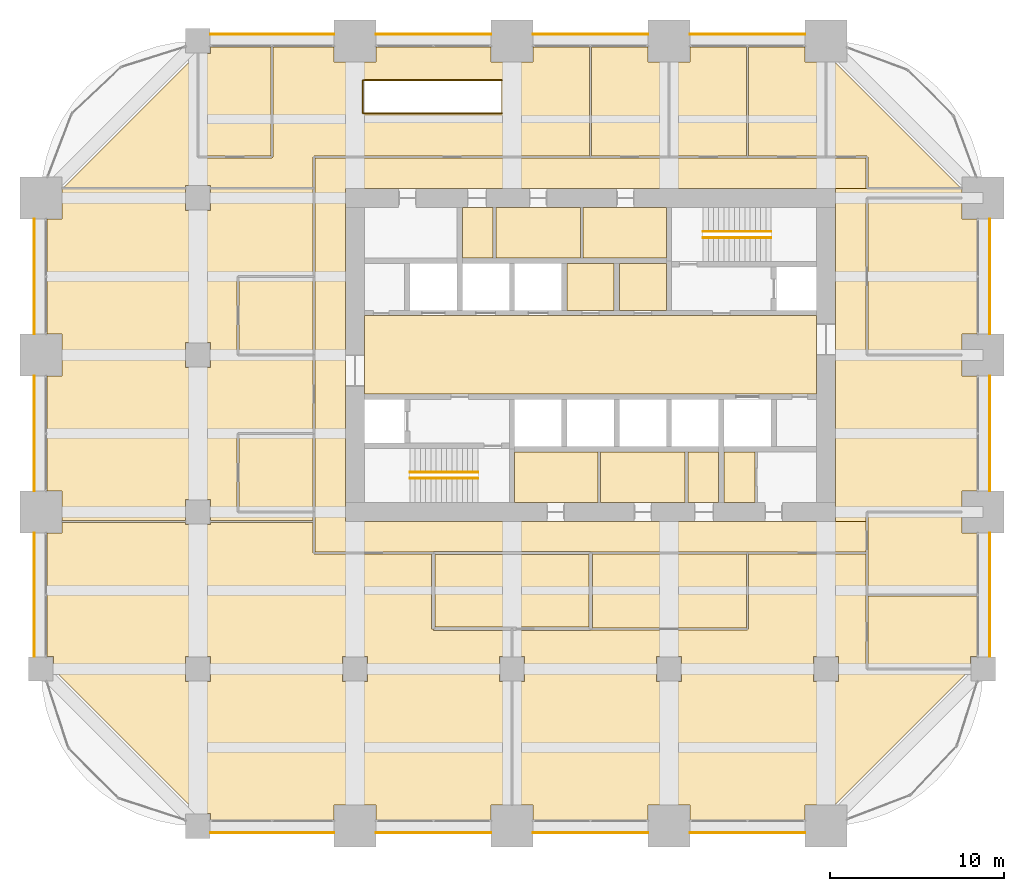
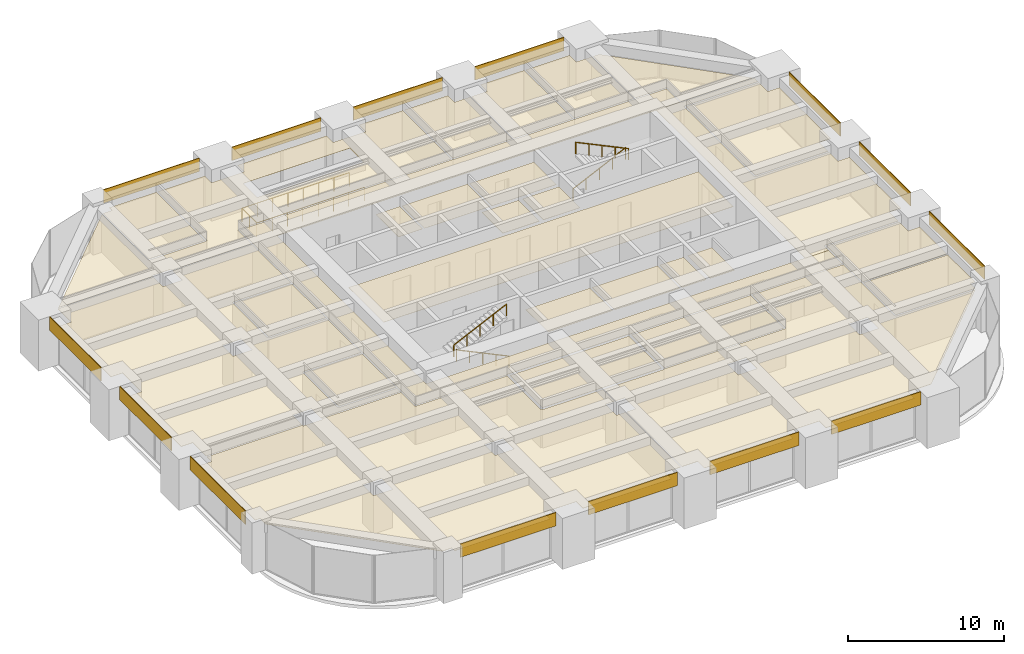
# One storey, part 32 of 32: 42 coverings, 5 railings.
"""IFC4 building model written with IfcOpenShell, lengths in metres."""

import ifcopenshell
import ifcopenshell.guid

model = None  # the IFC model being written
_history = None  # IfcOwnerHistory: only IFC2X3 demands one
_inside = {}  # id of a spatial element -> (the spatial element, [elements in it])
_under = {}  # id of a project, library or spatial element -> (it, [spatial elements below it])
_declared = {}  # id of a project -> (the project, [libraries it declares])
_typed = {}  # id of a type object -> (the type object, [elements of that type])
_made_of = {}  # id of a material, layer set ... -> (it, [elements and type objects made of it])


def new_model(schema):
    """Start an empty IFC model of exactly this schema.

    Asked for "IFC4X3", IfcOpenShell would pick the latest addendum, in which some entities
    have other attributes; the version numbers below select the first issue.
    IFC2X3 requires an IfcOwnerHistory on every rooted entity: one is made here for all.
    """
    global model, _history
    if schema == "IFC4X3":
        model = ifcopenshell.file(schema_version=(4, 3, 0, 0))
    else:
        model = ifcopenshell.file(schema=schema)
    _inside.clear()
    _under.clear()
    _declared.clear()
    _typed.clear()
    _made_of.clear()
    _history = None
    if model.schema == "IFC2X3":
        org = make("IfcOrganization", Name="unknown")
        user = make(
            "IfcPersonAndOrganization",
            ThePerson=make("IfcPerson", FamilyName="unknown"),
            TheOrganization=org,
        )
        app = make(
            "IfcApplication",
            ApplicationDeveloper=org,
            Version="unknown",
            ApplicationFullName="unknown",
            ApplicationIdentifier="unknown",
        )
        _history = make(
            "IfcOwnerHistory",
            OwningUser=user,
            OwningApplication=app,
            ChangeAction="ADDED",
            CreationDate=0,
        )
    return model


def make(cls, **values):
    """One entity of the class cls with the attributes given. An attribute that is None is left unset."""
    return model.create_entity(
        cls, **{name: value for name, value in values.items() if value is not None}
    )


def rooted(cls, **values):
    """An entity with a GlobalId (a new one), such as an element, a storey or a relation."""
    return make(cls, GlobalId=ifcopenshell.guid.new(), OwnerHistory=_history, **values)


def si_unit(unit_type, name, prefix=None):
    """IfcSIUnit, for example si_unit("LENGTHUNIT", "METRE", prefix="MILLI")."""
    return make("IfcSIUnit", UnitType=unit_type, Prefix=prefix, Name=name)


def assignment(units):
    """IfcUnitAssignment: the units of a project."""
    return None if units is None else make("IfcUnitAssignment", Units=units)


def point(xyz):
    """IfcCartesianPoint."""
    return None if xyz is None else make("IfcCartesianPoint", Coordinates=xyz)


def direction(xyz):
    """IfcDirection."""
    return None if xyz is None else make("IfcDirection", DirectionRatios=xyz)


def frame(location, z_axis=None, x_axis=None):
    """IfcAxis2Placement3D, a coordinate frame: its origin and axes. An axis left out is left unset."""
    return make(
        "IfcAxis2Placement3D",
        Location=point(location),
        Axis=direction(z_axis),
        RefDirection=direction(x_axis),
    )


def frame_2d(location, x_axis=None):
    """IfcAxis2Placement2D, a coordinate frame in the plane: its origin and x axis."""
    return make(
        "IfcAxis2Placement2D", Location=point(location), RefDirection=direction(x_axis)
    )


def origin():
    """The frame at (0, 0, 0) with its axes left unset."""
    return frame((0.0, 0.0, 0.0))


def origin_2d():
    """The frame at (0, 0) in the plane with its x axis left unset."""
    return frame_2d((0.0, 0.0))


def place(relative_to, where):
    """IfcLocalPlacement: puts the frame where relative to a parent placement (None: the world)."""
    return make(
        "IfcLocalPlacement", PlacementRelTo=relative_to, RelativePlacement=where
    )


def context(
    kind, dimensions, precision=None, world=None, true_north=None, identifier=None
):
    """IfcGeometricRepresentationContext, for example the 3D "Model" context."""
    return make(
        "IfcGeometricRepresentationContext",
        ContextIdentifier=identifier,
        ContextType=kind,
        CoordinateSpaceDimension=dimensions,
        Precision=precision,
        WorldCoordinateSystem=world,
        TrueNorth=true_north,
    )


def subcontext(parent, identifier, kind, view, scale=None):
    """IfcGeometricRepresentationSubContext, for example "Body" below "Model"."""
    return make(
        "IfcGeometricRepresentationSubContext",
        ContextIdentifier=identifier,
        ContextType=kind,
        ParentContext=parent,
        TargetScale=scale,
        TargetView=view,
    )


def project(units=None, contexts=None):
    """IfcProject with its units and contexts."""
    return rooted(
        "IfcProject",
        Name="project",
        RepresentationContexts=contexts,
        UnitsInContext=assignment(units),
    )


def spatial(cls, under=None, at=None, **own):
    """A site, building, storey or space (cls), placed at a placement, below another one or the project."""
    s = rooted(cls, ObjectPlacement=at, **own)
    if under is not None:
        _under.setdefault(under.id(), (under, []))[1].append(s)
    return s


def polyline(points):
    """IfcPolyline through the points."""
    return make("IfcPolyline", Points=[point(p) for p in points])


def profile(cls, at=None, kind="AREA", **sizes):
    """A parametric profile (cls). Its sizes go by their IFC names, for example OverallWidth=200.0."""
    return make(cls, ProfileType=kind, Position=at, **sizes)


def rectangle(**sizes):
    """IfcRectangleProfileDef."""
    return profile("IfcRectangleProfileDef", **sizes)


def circle(**sizes):
    """IfcCircleProfileDef."""
    return profile("IfcCircleProfileDef", **sizes)


def outline(outer, holes=None, kind="AREA"):
    """IfcArbitraryClosedProfileDef: a profile drawn as a closed curve; with holes, ...WithVoids."""
    if holes is None:
        return make("IfcArbitraryClosedProfileDef", ProfileType=kind, OuterCurve=outer)
    return make(
        "IfcArbitraryProfileDefWithVoids",
        ProfileType=kind,
        OuterCurve=outer,
        InnerCurves=holes,
    )


def extrude(swept, where, along, depth):
    """IfcExtrudedAreaSolid: the profile swept, set in the frame where, extruded along a direction by depth."""
    return make(
        "IfcExtrudedAreaSolid",
        SweptArea=swept,
        Position=where,
        ExtrudedDirection=direction(along),
        Depth=depth,
    )


def shape(context_of_items, identifier, shape_type, items):
    """IfcShapeRepresentation: the items that make up one representation, for example the "Body"."""
    return make(
        "IfcShapeRepresentation",
        ContextOfItems=context_of_items,
        RepresentationIdentifier=identifier,
        RepresentationType=shape_type,
        Items=items,
    )


def material(Name=None, Category=None):
    """IfcMaterial."""
    return make("IfcMaterial", Name=Name, Category=Category)


def layer(
    of_material, thickness, ventilated=None, Name=None, Category=None, Priority=None
):
    """IfcMaterialLayer: one layer of a wall or slab, of a material (None: an air gap)."""
    return make(
        "IfcMaterialLayer",
        Material=of_material,
        LayerThickness=thickness,
        IsVentilated=ventilated,
        Name=Name,
        Category=Category,
        Priority=Priority,
    )


def layer_set(layers, Name=None):
    """IfcMaterialLayerSet."""
    return make("IfcMaterialLayerSet", MaterialLayers=layers, LayerSetName=Name)


def made_of(thing, what):
    """Note that an element or type object is made of a material, layer set ...; save() writes the relation."""
    if what is not None:
        _made_of.setdefault(what.id(), (what, []))[1].append(thing)
    return thing


def type_object(cls, material=None, **own):
    """A type object (cls), such as IfcWallType, which elements share."""
    return made_of(rooted(cls, **own), material)


def element(
    cls,
    number,
    at=None,
    inside=None,
    cuts=None,
    type_object=None,
    material=None,
    context=None,
    identifier="Body",
    shape_type=None,
    held_by="IfcProductDefinitionShape",
    body=None,
    shapes=None,
    **own,
):
    """One element of the class cls, such as IfcWall. Its Tag is "e" and its number.

    at: its placement. inside: the storey or other place that contains it. cuts: it is an
    opening in that element (IfcRelVoidsElement). A single representation is given by context,
    identifier, shape_type and body (its items); several are given by shapes. held_by: the class
    of the entity that holds the representations. save() writes the other relations.
    """
    e = rooted(cls, Tag="e%d" % number, ObjectPlacement=at, **own)
    if body is not None:
        shapes = [shape(context, identifier, shape_type, body)]
    if shapes is not None:
        e.Representation = make(held_by, Representations=shapes)
    if inside is not None:
        _inside.setdefault(inside.id(), (inside, []))[1].append(e)
    if cuts is not None:
        rooted(
            "IfcRelVoidsElement", RelatingBuildingElement=cuts, RelatedOpeningElement=e
        )
    if type_object is not None:
        _typed.setdefault(type_object.id(), (type_object, []))[1].append(e)
    return made_of(e, material)


def aggregate(whole, parts):
    """IfcRelAggregates: a whole, such as a stair, and the parts it consists of."""
    return rooted("IfcRelAggregates", RelatingObject=whole, RelatedObjects=parts)


def save(model, path):
    """Write the relations noted so far, then the file.

    IfcRelAggregates (storeys below a building ...), IfcRelContainedInSpatialStructure (elements
    in a storey), IfcRelDefinesByType, IfcRelAssociatesMaterial and IfcRelDeclares: one each for
    every whole, place, type object, material and project.
    """
    for whole, parts in _under.values():
        aggregate(whole, parts)
    for where, things in _inside.values():
        rooted(
            "IfcRelContainedInSpatialStructure",
            RelatedElements=things,
            RelatingStructure=where,
        )
    for kind, things in _typed.values():
        rooted("IfcRelDefinesByType", RelatedObjects=things, RelatingType=kind)
    for what, things in _made_of.values():
        rooted("IfcRelAssociatesMaterial", RelatedObjects=things, RelatingMaterial=what)
    for by, libraries in _declared.values():
        rooted("IfcRelDeclares", RelatingContext=by, RelatedDefinitions=libraries)
    model.write(path)


model = new_model("IFC4")

# Units and contexts
model_context = context("Model", 3, precision=1e-05, world=origin(), true_north=direction((0.0, 1.0)))
body_context = subcontext(model_context, "Body", "Model", "MODEL_VIEW")
ifc_project = project(units=[si_unit("LENGTHUNIT", "METRE"), si_unit("AREAUNIT", "SQUARE_METRE"), si_unit("VOLUMEUNIT", "CUBIC_METRE"), si_unit("PLANEANGLEUNIT", "RADIAN"), si_unit("MASSUNIT", "GRAM", prefix="KILO")], contexts=[model_context])

# Site, building, storey
site_placement = place(None, origin())
site = spatial("IfcSite", under=ifc_project, at=site_placement, CompositionType="ELEMENT")
building_placement = place(site_placement, origin())
building = spatial("IfcBuilding", under=site, at=building_placement, Name="Zorevar Civic Tower", CompositionType="ELEMENT")
storey_placement = place(building_placement, frame((0.0, 0.0, 198.199951171875)))
storey = spatial("IfcBuildingStorey", under=building, at=storey_placement, Name="L48", CompositionType="ELEMENT", Elevation=198.199951171875)

# Railings
ifc_material_1 = material(Name="Laminated glass balustrade with black steel handrail", Category="steel")
railing_type_1 = type_object("IfcRailingType", Name="Balustrade BL1 1100", PredefinedType="BALUSTRADE", material=ifc_material_1)
railing_1_placement = place(storey_placement, frame((26.39990234375, 40.85009765625, 0.0)))
element("IfcRailing", 1, at=railing_1_placement, inside=storey, type_object=railing_type_1, Name="Balustrade BL1 stair void L48", PredefinedType="BALUSTRADE", context=body_context, shape_type="SweptSolid", body=[
    extrude(circle(Radius=0.02392578125, at=origin_2d()), frame((0.0, 0.0, 1.076171875), z_axis=(-1.0, 0.0, 0.0), x_axis=(0.0, -1.0, 0.0)), (0.0, 0.0, 1.0), 7.949951171875),
    extrude(circle(Radius=0.02392578125, at=origin_2d()), frame((-7.949951171875, 0.0, 1.076171875), z_axis=(0.0, 1.0, 0.0), x_axis=(-1.0, 0.0, 0.0)), (0.0, 0.0, 1.0), 1.89990234375),
    extrude(circle(Radius=0.02392578125, at=origin_2d()), frame((-7.949951171875, 1.89990234375, 1.076171875), z_axis=(1.0, 0.0, 0.0), x_axis=(0.0, 1.0, 0.0)), (0.0, 0.0, 1.0), 7.949951171875),
    extrude(circle(Radius=0.02099609375, at=origin_2d()), origin(), (0.0, 0.0, 1.0), 1.052001953125),
    extrude(circle(Radius=0.02099609375, at=origin_2d()), frame((-1.1357421875, 0.0, 0.0)), (0.0, 0.0, 1.0), 1.052001953125),
    extrude(circle(Radius=0.02099609375, at=origin_2d()), frame((-2.271484375, 0.0, 0.0)), (0.0, 0.0, 1.0), 1.052001953125),
    extrude(circle(Radius=0.02099609375, at=origin_2d()), frame((-3.4072265625, 0.0, 0.0)), (0.0, 0.0, 1.0), 1.052001953125),
    extrude(circle(Radius=0.02099609375, at=origin_2d()), frame((-4.542724609375, 0.0, 0.0)), (0.0, 0.0, 1.0), 1.052001953125),
    extrude(circle(Radius=0.02099609375, at=origin_2d()), frame((-5.678466796875, 0.0, 0.0)), (0.0, 0.0, 1.0), 1.052001953125),
    extrude(circle(Radius=0.02099609375, at=origin_2d()), frame((-6.814208984375, 0.0, 0.0)), (0.0, 0.0, 1.0), 1.052001953125),
    extrude(circle(Radius=0.02099609375, at=origin_2d()), frame((-7.949951171875, 0.0, 0.0)), (0.0, 0.0, 1.0), 1.052001953125),
    extrude(circle(Radius=0.02099609375, at=origin_2d()), frame((-7.949951171875, 0.949951171875, 0.0)), (0.0, 0.0, 1.0), 1.052001953125),
    extrude(circle(Radius=0.02099609375, at=origin_2d()), frame((-7.949951171875, 1.89990234375, 0.0)), (0.0, 0.0, 1.0), 1.052001953125),
    extrude(circle(Radius=0.02099609375, at=origin_2d()), frame((-6.814208984375, 1.89990234375, 0.0)), (0.0, 0.0, 1.0), 1.052001953125),
    extrude(circle(Radius=0.02099609375, at=origin_2d()), frame((-5.678466796875, 1.89990234375, 0.0)), (0.0, 0.0, 1.0), 1.052001953125),
    extrude(circle(Radius=0.02099609375, at=origin_2d()), frame((-4.542724609375, 1.89990234375, 0.0)), (0.0, 0.0, 1.0), 1.052001953125),
    extrude(circle(Radius=0.02099609375, at=origin_2d()), frame((-3.4072265625, 1.89990234375, 0.0)), (0.0, 0.0, 1.0), 1.052001953125),
    extrude(circle(Radius=0.02099609375, at=origin_2d()), frame((-2.271484375, 1.89990234375, 0.0)), (0.0, 0.0, 1.0), 1.052001953125),
    extrude(circle(Radius=0.02099609375, at=origin_2d()), frame((-1.1357421875, 1.89990234375, 0.0)), (0.0, 0.0, 1.0), 1.052001953125),
    extrude(circle(Radius=0.02099609375, at=origin_2d()), frame((0.0, 1.89990234375, 0.0)), (0.0, 0.0, 1.0), 1.052001953125),
])
ifc_material_2 = material(Name="Black steel handrail", Category="steel")
railing_type_2 = type_object("IfcRailingType", Name="Handrail HR1 900", PredefinedType="HANDRAIL", material=ifc_material_2)
railing_2_placement = place(storey_placement, frame((25.050048828125, 19.925048828125, 0.142822265625)))
element("IfcRailing", 2, at=railing_2_placement, inside=storey, type_object=railing_type_2, Name="Handrail HR1 ST1 L48", PredefinedType="HANDRAIL", context=body_context, shape_type="SweptSolid", body=[
    extrude(circle(Radius=0.02392578125, at=origin_2d()), frame((0.0, 0.0, 0.8759765625), z_axis=(-0.902863652845, 0.0, 0.429926998885), x_axis=(0.0, -1.0, 0.0)), (0.0, 0.0, 1.0), 4.31982421875),
    extrude(circle(Radius=0.02099609375, at=origin_2d()), origin(), (0.0, 0.0, 1.0), 0.851806640625),
    extrude(circle(Radius=0.02099609375, at=origin_2d()), frame((-0.97509765625, 0.0, 0.46435546875)), (0.0, 0.0, 1.0), 0.851806640625),
    extrude(circle(Radius=0.02099609375, at=origin_2d()), frame((-1.9501953125, 0.0, 0.9287109375)), (0.0, 0.0, 1.0), 0.851806640625),
    extrude(circle(Radius=0.02099609375, at=origin_2d()), frame((-2.925048828125, 0.0, 1.392822265625)), (0.0, 0.0, 1.0), 0.851806640625),
    extrude(circle(Radius=0.02099609375, at=origin_2d()), frame((-3.900146484375, 0.0, 1.857177734375)), (0.0, 0.0, 1.0), 0.851806640625),
])
for number, where, name in (
    (3, (21.14990234375, 20.27490234375, 2.142822265625), "Handrail HR1 ST1 L48"),
    (4, (37.949951171875, 34.074951171875, 0.142822265625), "Handrail HR1 ST2 L48"),
):
    element("IfcRailing", number, at=place(storey_placement, frame(where)), inside=storey, type_object=railing_type_2, Name=name, PredefinedType="HANDRAIL", context=body_context, shape_type="SweptSolid", body=[
        extrude(circle(Radius=0.02392578125, at=origin_2d()), frame((0.0, 0.0, 0.8759765625), z_axis=(0.902863652845, 0.0, 0.429926998885), x_axis=(0.0, 1.0, 0.0)), (0.0, 0.0, 1.0), 4.31982421875),
        extrude(circle(Radius=0.02099609375, at=origin_2d()), origin(), (0.0, 0.0, 1.0), 0.851806640625),
        extrude(circle(Radius=0.02099609375, at=origin_2d()), frame((0.97509765625, 0.0, 0.46435546875)), (0.0, 0.0, 1.0), 0.851806640625),
        extrude(circle(Radius=0.02099609375, at=origin_2d()), frame((1.9501953125, 0.0, 0.9287109375)), (0.0, 0.0, 1.0), 0.851806640625),
        extrude(circle(Radius=0.02099609375, at=origin_2d()), frame((2.925048828125, 0.0, 1.392822265625)), (0.0, 0.0, 1.0), 0.851806640625),
        extrude(circle(Radius=0.02099609375, at=origin_2d()), frame((3.900146484375, 0.0, 1.857177734375)), (0.0, 0.0, 1.0), 0.851806640625),
    ])
railing_3_placement = place(storey_placement, frame((41.85009765625, 33.72509765625, 2.142822265625)))
element("IfcRailing", 5, at=railing_3_placement, inside=storey, type_object=railing_type_2, Name="Handrail HR1 ST2 L48", PredefinedType="HANDRAIL", context=body_context, shape_type="SweptSolid", body=[
    extrude(circle(Radius=0.02392578125, at=origin_2d()), frame((0.0, 0.0, 0.8759765625), z_axis=(-0.902863652845, 0.0, 0.429926998885), x_axis=(0.0, -1.0, 0.0)), (0.0, 0.0, 1.0), 4.31982421875),
    extrude(circle(Radius=0.02099609375, at=origin_2d()), origin(), (0.0, 0.0, 1.0), 0.851806640625),
    extrude(circle(Radius=0.02099609375, at=origin_2d()), frame((-0.97509765625, 0.0, 0.46435546875)), (0.0, 0.0, 1.0), 0.851806640625),
    extrude(circle(Radius=0.02099609375, at=origin_2d()), frame((-1.9501953125, 0.0, 0.9287109375)), (0.0, 0.0, 1.0), 0.851806640625),
    extrude(circle(Radius=0.02099609375, at=origin_2d()), frame((-2.925048828125, 0.0, 1.392822265625)), (0.0, 0.0, 1.0), 0.851806640625),
    extrude(circle(Radius=0.02099609375, at=origin_2d()), frame((-3.900146484375, 0.0, 1.857177734375)), (0.0, 0.0, 1.0), 0.851806640625),
])

# Coverings
ifc_material_3 = material(Name="Moisture-resistant gypsum board")
ifc_layer_1 = layer(ifc_material_3, 0.012451171875)
ifc_layer_set_1 = layer_set([ifc_layer_1], Name="Moisture-resistant ceiling SC3")
covering_type_1 = type_object("IfcCoveringType", Name="Moisture-resistant ceiling SC3", PredefinedType="CEILING", material=ifc_layer_set_1)
covering_1_placement = place(storey_placement, frame((0.0, 0.0, 3.0)))
element("IfcCovering", 6, at=covering_1_placement, inside=storey, type_object=covering_type_1, Name="Ceiling L48-05", PredefinedType="CEILING", context=body_context, shape_type="SweptSolid", body=[
    extrude(outline(polyline([(31.925048828125, 18.550048828125), (31.925048828125, 21.449951171875), (27.14990234375, 21.449951171875), (27.14990234375, 18.550048828125), (31.925048828125, 18.550048828125)])), origin(), (0.0, 0.0, 1.0), 0.012451171875),
])
covering_2_placement = place(storey_placement, frame((0.0, 0.0, 3.0)))
element("IfcCovering", 7, at=covering_2_placement, inside=storey, type_object=covering_type_1, Name="Ceiling L48-06", PredefinedType="CEILING", context=body_context, shape_type="SweptSolid", body=[
    extrude(outline(polyline([(36.925048828125, 18.550048828125), (36.925048828125, 21.449951171875), (32.074951171875, 21.449951171875), (32.074951171875, 18.550048828125), (36.925048828125, 18.550048828125)])), origin(), (0.0, 0.0, 1.0), 0.012451171875),
])
covering_3_placement = place(storey_placement, frame((0.0, 0.0, 3.0)))
element("IfcCovering", 8, at=covering_3_placement, inside=storey, type_object=covering_type_1, Name="Ceiling L48-07", PredefinedType="CEILING", context=body_context, shape_type="SweptSolid", body=[
    extrude(outline(polyline([(38.85009765625, 18.550048828125), (38.85009765625, 21.449951171875), (37.074951171875, 21.449951171875), (37.074951171875, 18.550048828125), (38.85009765625, 18.550048828125)])), origin(), (0.0, 0.0, 1.0), 0.012451171875),
])
covering_4_placement = place(storey_placement, frame((0.0, 0.0, 3.0)))
element("IfcCovering", 9, at=covering_4_placement, inside=storey, type_object=covering_type_1, Name="Ceiling L48-08", PredefinedType="CEILING", context=body_context, shape_type="SweptSolid", body=[
    extrude(outline(polyline([(35.85009765625, 32.550048828125), (35.85009765625, 35.449951171875), (31.074951171875, 35.449951171875), (31.074951171875, 32.550048828125), (35.85009765625, 32.550048828125)])), origin(), (0.0, 0.0, 1.0), 0.012451171875),
])
covering_5_placement = place(storey_placement, frame((0.0, 0.0, 3.0)))
element("IfcCovering", 10, at=covering_5_placement, inside=storey, type_object=covering_type_1, Name="Ceiling L48-09", PredefinedType="CEILING", context=body_context, shape_type="SweptSolid", body=[
    extrude(outline(polyline([(30.925048828125, 32.550048828125), (30.925048828125, 35.449951171875), (26.074951171875, 35.449951171875), (26.074951171875, 32.550048828125), (30.925048828125, 32.550048828125)])), origin(), (0.0, 0.0, 1.0), 0.012451171875),
])
covering_6_placement = place(storey_placement, frame((0.0, 0.0, 3.0)))
element("IfcCovering", 11, at=covering_6_placement, inside=storey, type_object=covering_type_1, Name="Ceiling L48-10", PredefinedType="CEILING", context=body_context, shape_type="SweptSolid", body=[
    extrude(outline(polyline([(25.925048828125, 32.550048828125), (25.925048828125, 35.449951171875), (24.14990234375, 35.449951171875), (24.14990234375, 32.550048828125), (25.925048828125, 32.550048828125)])), origin(), (0.0, 0.0, 1.0), 0.012451171875),
])
ifc_material_4 = material(Name="Black anodised aluminium spandrel panel", Category="aluminium")
ifc_layer_2 = layer(ifc_material_4, 0.050048828125)
ifc_layer_set_2 = layer_set([ifc_layer_2], Name="Spandrel cladding SP1")
covering_type_2 = type_object("IfcCoveringType", Name="Spandrel cladding SP1", PredefinedType="CLADDING", material=ifc_layer_set_2)
covering_7_placement = place(storey_placement, frame((9.699951171875, -0.375, 2.949951171875), z_axis=(0.0, 0.0, 1.0), x_axis=(1.0, 0.0, 0.0)))
element("IfcCovering", 12, at=covering_7_placement, inside=storey, type_object=covering_type_2, Name="Spandrel cladding L49", PredefinedType="CLADDING", context=body_context, shape_type="SweptSolid", body=[
    extrude(rectangle(XDim=7.10009765625, YDim=0.050048828125, at=frame_2d((3.550048828125, 0.0))), origin(), (0.0, 0.0, 1.0), 1.050048828125),
])
for number, where, z_axis, x_axis, name in (
    (13, (19.199951171875, -0.375, 2.949951171875), (0.0, 0.0, 1.0), (1.0, 0.0, 0.0), "Spandrel cladding L49"),
    (14, (28.199951171875, -0.375, 2.949951171875), (0.0, 0.0, 1.0), (1.0, 0.0, 0.0), "Spandrel cladding L49"),
    (15, (37.199951171875, -0.375, 2.949951171875), (0.0, 0.0, 1.0), (1.0, 0.0, 0.0), "Spandrel cladding L49"),
):
    element("IfcCovering", number, at=place(storey_placement, frame(where, z_axis=z_axis, x_axis=x_axis)), inside=storey, type_object=covering_type_2, Name=name, PredefinedType="CLADDING", context=body_context, shape_type="SweptSolid", body=[
        extrude(rectangle(XDim=6.60009765625, YDim=0.050048828125, at=frame_2d((3.300048828125, 0.0))), origin(), (0.0, 0.0, 1.0), 1.050048828125),
    ])
covering_8_placement = place(storey_placement, frame((9.699951171875, 45.375, 2.949951171875), z_axis=(0.0, 0.0, 1.0), x_axis=(1.0, 0.0, 0.0)))
element("IfcCovering", 16, at=covering_8_placement, inside=storey, type_object=covering_type_2, Name="Spandrel cladding L49", PredefinedType="CLADDING", context=body_context, shape_type="SweptSolid", body=[
    extrude(rectangle(XDim=7.10009765625, YDim=0.050048828125, at=frame_2d((3.550048828125, 0.0))), origin(), (0.0, 0.0, 1.0), 1.050048828125),
])
for number, where, z_axis, x_axis, name in (
    (17, (19.199951171875, 45.375, 2.949951171875), (0.0, 0.0, 1.0), (1.0, 0.0, 0.0), "Spandrel cladding L49"),
    (18, (28.199951171875, 45.375, 2.949951171875), (0.0, 0.0, 1.0), (1.0, 0.0, 0.0), "Spandrel cladding L49"),
    (19, (37.199951171875, 45.375, 2.949951171875), (0.0, 0.0, 1.0), (1.0, 0.0, 0.0), "Spandrel cladding L49"),
):
    element("IfcCovering", number, at=place(storey_placement, frame(where, z_axis=z_axis, x_axis=x_axis)), inside=storey, type_object=covering_type_2, Name=name, PredefinedType="CLADDING", context=body_context, shape_type="SweptSolid", body=[
        extrude(rectangle(XDim=6.60009765625, YDim=0.050048828125, at=frame_2d((3.300048828125, 0.0))), origin(), (0.0, 0.0, 1.0), 1.050048828125),
    ])
covering_9_placement = place(storey_placement, frame((-0.375, 9.699951171875, 2.949951171875), z_axis=(0.0, 0.0, 1.0), x_axis=(0.0, 1.0, 0.0)))
element("IfcCovering", 20, at=covering_9_placement, inside=storey, type_object=covering_type_2, Name="Spandrel cladding L49", PredefinedType="CLADDING", context=body_context, shape_type="SweptSolid", body=[
    extrude(rectangle(XDim=7.10009765625, YDim=0.050048828125, at=frame_2d((3.550048828125, 0.0))), origin(), (0.0, 0.0, 1.0), 1.050048828125),
])
for number, where, z_axis, x_axis, name in (
    (21, (-0.375, 19.199951171875, 2.949951171875), (0.0, 0.0, 1.0), (0.0, 1.0, 0.0), "Spandrel cladding L49"),
    (22, (-0.375, 28.199951171875, 2.949951171875), (0.0, 0.0, 1.0), (0.0, 1.0, 0.0), "Spandrel cladding L49"),
):
    element("IfcCovering", number, at=place(storey_placement, frame(where, z_axis=z_axis, x_axis=x_axis)), inside=storey, type_object=covering_type_2, Name=name, PredefinedType="CLADDING", context=body_context, shape_type="SweptSolid", body=[
        extrude(rectangle(XDim=6.60009765625, YDim=0.050048828125, at=frame_2d((3.300048828125, 0.0))), origin(), (0.0, 0.0, 1.0), 1.050048828125),
    ])
covering_10_placement = place(storey_placement, frame((54.375, 9.699951171875, 2.949951171875), z_axis=(0.0, 0.0, 1.0), x_axis=(0.0, 1.0, 0.0)))
element("IfcCovering", 23, at=covering_10_placement, inside=storey, type_object=covering_type_2, Name="Spandrel cladding L49", PredefinedType="CLADDING", context=body_context, shape_type="SweptSolid", body=[
    extrude(rectangle(XDim=7.10009765625, YDim=0.050048828125, at=frame_2d((3.550048828125, 0.0))), origin(), (0.0, 0.0, 1.0), 1.050048828125),
])
for number, where, z_axis, x_axis, name in (
    (24, (54.375, 19.199951171875, 2.949951171875), (0.0, 0.0, 1.0), (0.0, 1.0, 0.0), "Spandrel cladding L49"),
    (25, (54.375, 28.199951171875, 2.949951171875), (0.0, 0.0, 1.0), (0.0, 1.0, 0.0), "Spandrel cladding L49"),
):
    element("IfcCovering", number, at=place(storey_placement, frame(where, z_axis=z_axis, x_axis=x_axis)), inside=storey, type_object=covering_type_2, Name=name, PredefinedType="CLADDING", context=body_context, shape_type="SweptSolid", body=[
        extrude(rectangle(XDim=6.60009765625, YDim=0.050048828125, at=frame_2d((3.300048828125, 0.0))), origin(), (0.0, 0.0, 1.0), 1.050048828125),
    ])
ifc_material_5 = material(Name="Mineral fibre tiles on a concealed grid")
ifc_layer_3 = layer(ifc_material_5, 0.02001953125)
ifc_layer_set_3 = layer_set([ifc_layer_3], Name="Suspended ceiling SC1")
covering_type_3 = type_object("IfcCoveringType", Name="Suspended ceiling SC1", PredefinedType="CEILING", material=ifc_layer_set_3)
covering_11_placement = place(storey_placement, frame((0.0, 0.0, 3.0)))
element("IfcCovering", 26, at=covering_11_placement, inside=storey, type_object=covering_type_3, Name="Ceiling L48-11", PredefinedType="CEILING", context=body_context, shape_type="SweptSolid", body=[
    extrude(outline(polyline([(40.93994140625, 18.550048828125), (40.93994140625, 21.449951171875), (39.14990234375, 21.449951171875), (39.14990234375, 18.550048828125), (40.93994140625, 18.550048828125)])), origin(), (0.0, 0.0, 1.0), 0.02001953125),
])
covering_12_placement = place(storey_placement, frame((0.0, 0.0, 3.0)))
element("IfcCovering", 27, at=covering_12_placement, inside=storey, type_object=covering_type_3, Name="Ceiling L48-16", PredefinedType="CEILING", context=body_context, shape_type="SweptSolid", body=[
    extrude(outline(polyline([(44.449951171875, 24.75), (44.449951171875, 29.25), (18.550048828125, 29.25), (18.550048828125, 24.75), (44.449951171875, 24.75)])), origin(), (0.0, 0.0, 1.0), 0.02001953125),
])
covering_13_placement = place(storey_placement, frame((0.0, 0.0, 3.0)))
element("IfcCovering", 28, at=covering_13_placement, inside=storey, type_object=covering_type_3, Name="Ceiling L48-17", PredefinedType="CEILING", context=body_context, shape_type="SweptSolid", body=[
    extrude(outline(polyline([(35.85009765625, 29.550048828125), (35.85009765625, 32.25), (33.14990234375, 32.25), (33.14990234375, 29.550048828125), (35.85009765625, 29.550048828125)])), origin(), (0.0, 0.0, 1.0), 0.02001953125),
])
covering_14_placement = place(storey_placement, frame((0.0, 0.0, 3.0)))
element("IfcCovering", 29, at=covering_14_placement, inside=storey, type_object=covering_type_3, Name="Ceiling L48-18", PredefinedType="CEILING", context=body_context, shape_type="SweptSolid", body=[
    extrude(outline(polyline([(32.85009765625, 29.550048828125), (32.85009765625, 32.25), (30.14990234375, 32.25), (30.14990234375, 29.550048828125), (32.85009765625, 29.550048828125)])), origin(), (0.0, 0.0, 1.0), 0.02001953125),
])
covering_15_placement = place(storey_placement, frame((0.0, 0.0, 3.0)))
element("IfcCovering", 30, at=covering_15_placement, inside=storey, type_object=covering_type_3, Name="Ceiling L48-19", PredefinedType="CEILING", context=body_context, shape_type="SweptSolid", body=[
    extrude(outline(polyline([(9.06005859375, 38.409912109375), (9.06005859375, 44.2900390625), (9.7099609375, 44.2900390625), (9.7099609375, 44.64990234375), (13.18994140625, 44.64990234375), (13.18994140625, 38.409912109375), (9.06005859375, 38.409912109375)])), origin(), (0.0, 0.0, 1.0), 0.02001953125),
])
covering_16_placement = place(storey_placement, frame((0.0, 0.0, 3.0)))
element("IfcCovering", 31, at=covering_16_placement, inside=storey, type_object=covering_type_3, Name="Ceiling L48-20", PredefinedType="CEILING", context=body_context, shape_type="SweptSolid", body=[
    extrude(outline(polyline([(31.56005859375, 38.409912109375), (31.56005859375, 44.64990234375), (34.7900390625, 44.64990234375), (34.7900390625, 43.7900390625), (35.93994140625, 43.7900390625), (35.93994140625, 38.409912109375), (31.56005859375, 38.409912109375)])), origin(), (0.0, 0.0, 1.0), 0.02001953125),
])
covering_17_placement = place(storey_placement, frame((0.0, 0.0, 3.0)))
element("IfcCovering", 32, at=covering_17_placement, inside=storey, type_object=covering_type_3, Name="Ceiling L48-21", PredefinedType="CEILING", context=body_context, shape_type="SweptSolid", body=[
    extrude(outline(polyline([(36.06005859375, 38.409912109375), (36.06005859375, 43.7900390625), (37.2099609375, 43.7900390625), (37.2099609375, 44.64990234375), (40.43994140625, 44.64990234375), (40.43994140625, 38.409912109375), (36.06005859375, 38.409912109375)])), origin(), (0.0, 0.0, 1.0), 0.02001953125),
])
covering_18_placement = place(storey_placement, frame((0.0, 0.0, 3.0)))
element("IfcCovering", 33, at=covering_18_placement, inside=storey, type_object=covering_type_3, Name="Ceiling L48-22", PredefinedType="CEILING", context=body_context, shape_type="SweptSolid", body=[
    extrude(outline(polyline([(40.56005859375, 38.409912109375), (40.56005859375, 44.64990234375), (43.7900390625, 44.64990234375), (43.7900390625, 43.7900390625), (44.93994140625, 43.7900390625), (44.93994140625, 38.409912109375), (40.56005859375, 38.409912109375)])), origin(), (0.0, 0.0, 1.0), 0.02001953125),
])
covering_19_placement = place(storey_placement, frame((0.0, 0.0, 3.0)))
element("IfcCovering", 34, at=covering_19_placement, inside=storey, type_object=covering_type_3, Name="Ceiling L48-23", PredefinedType="CEILING", context=body_context, shape_type="SweptSolid", body=[
    extrude(outline(polyline([(22.60009765625, 15.550048828125), (31.39990234375, 15.550048828125), (31.39990234375, 11.39990234375), (22.60009765625, 11.39990234375), (22.60009765625, 15.550048828125)])), origin(), (0.0, 0.0, 1.0), 0.02001953125),
])
covering_20_placement = place(storey_placement, frame((0.0, 0.0, 3.0)))
element("IfcCovering", 35, at=covering_20_placement, inside=storey, type_object=covering_type_3, Name="Ceiling L48-24", PredefinedType="CEILING", context=body_context, shape_type="SweptSolid", body=[
    extrude(outline(polyline([(31.60009765625, 15.590087890625), (40.43994140625, 15.590087890625), (40.43994140625, 11.35009765625), (31.60009765625, 11.35009765625), (31.60009765625, 15.590087890625)])), origin(), (0.0, 0.0, 1.0), 0.02001953125),
])
covering_21_placement = place(storey_placement, frame((0.0, 0.0, 3.0)))
element("IfcCovering", 36, at=covering_21_placement, inside=storey, type_object=covering_type_3, Name="Ceiling L48-25", PredefinedType="CEILING", context=body_context, shape_type="SweptSolid", body=[
    extrude(outline(polyline([(47.409912109375, 13.18994140625), (53.64990234375, 13.18994140625), (53.64990234375, 9.7099609375), (53.2900390625, 9.7099609375), (53.2900390625, 9.06005859375), (47.409912109375, 9.06005859375), (47.409912109375, 13.18994140625)])), origin(), (0.0, 0.0, 1.0), 0.02001953125),
])
covering_22_placement = place(storey_placement, frame((0.0, 0.0, 3.0)))
element("IfcCovering", 37, at=covering_22_placement, inside=storey, type_object=covering_type_3, Name="Ceiling L48-26", PredefinedType="CEILING", context=body_context, shape_type="SweptSolid", body=[
    extrude(outline(polyline([(47.409912109375, 17.93994140625), (52.7900390625, 17.93994140625), (52.7900390625, 16.7900390625), (53.64990234375, 16.7900390625), (53.64990234375, 13.31005859375), (47.409912109375, 13.31005859375), (47.409912109375, 17.93994140625)])), origin(), (0.0, 0.0, 1.0), 0.02001953125),
])
covering_23_placement = place(storey_placement, frame((0.0, 0.0, 3.0)))
element("IfcCovering", 38, at=covering_23_placement, inside=storey, type_object=covering_type_3, Name="Ceiling L48-27", PredefinedType="CEILING", context=body_context, shape_type="SweptSolid", body=[
    extrude(outline(polyline([(53.64990234375, 28.2099609375), (52.7900390625, 28.2099609375), (52.7900390625, 27.06005859375), (47.409912109375, 27.06005859375), (47.409912109375, 35.93994140625), (52.7900390625, 35.93994140625), (52.7900390625, 34.7900390625), (53.64990234375, 34.7900390625), (53.64990234375, 28.2099609375)])), origin(), (0.0, 0.0, 1.0), 0.02001953125),
])
covering_24_placement = place(storey_placement, frame((0.0, 0.0, 3.0)))
element("IfcCovering", 39, at=covering_24_placement, inside=storey, type_object=covering_type_3, Name="Ceiling L48-28", PredefinedType="CEILING", context=body_context, shape_type="SweptSolid", body=[
    extrude(outline(polyline([(15.590087890625, 18.06005859375), (11.360107421875, 18.06005859375), (11.360107421875, 22.43994140625), (15.590087890625, 22.43994140625), (15.590087890625, 18.06005859375)])), origin(), (0.0, 0.0, 1.0), 0.02001953125),
])
covering_25_placement = place(storey_placement, frame((0.0, 0.0, 3.0)))
element("IfcCovering", 40, at=covering_25_placement, inside=storey, type_object=covering_type_3, Name="Ceiling L48-29", PredefinedType="CEILING", context=body_context, shape_type="SweptSolid", body=[
    extrude(outline(polyline([(11.360107421875, 31.43994140625), (15.590087890625, 31.43994140625), (15.590087890625, 27.06005859375), (11.360107421875, 27.06005859375), (11.360107421875, 31.43994140625)])), origin(), (0.0, 0.0, 1.0), 0.02001953125),
])
covering_26_placement = place(storey_placement, frame((0.0, 0.0, 3.0)))
element("IfcCovering", 41, at=covering_26_placement, inside=storey, type_object=covering_type_3, Name="Ceiling L48-30", PredefinedType="CEILING", context=body_context, shape_type="SweptSolid", body=[
    extrude(outline(polyline([(47.2900390625, 15.699951171875), (40.5, 15.699951171875), (40.5, 15.7099609375), (31.5, 15.7099609375), (31.5, 15.75), (22.5, 15.75), (22.5, 15.699951171875), (15.699951171875, 15.699951171875), (15.699951171875, 18.0), (15.7099609375, 18.0), (15.7099609375, 22.5), (15.699951171875, 22.5), (15.699951171875, 27.0), (15.7099609375, 27.0), (15.7099609375, 31.5), (15.699951171875, 31.5), (15.699951171875, 38.300048828125), (31.5, 38.300048828125), (31.5, 38.2900390625), (45.0, 38.2900390625), (45.0, 38.300048828125), (47.300048828125, 38.300048828125), (47.300048828125, 36.550048828125), (17.449951171875, 36.550048828125), (17.449951171875, 17.449951171875), (47.2900390625, 17.449951171875), (47.2900390625, 15.699951171875)])), origin(), (0.0, 0.0, 1.0), 0.02001953125),
])
covering_27_placement = place(storey_placement, frame((0.0, 0.0, 3.0)))
element("IfcCovering", 42, at=covering_27_placement, inside=storey, type_object=covering_type_3, Name="Ceiling L48-31", PredefinedType="CEILING", context=body_context, shape_type="SweptSolid", body=[
    extrude(outline(polyline([(52.7900390625, 25.7900390625), (53.64990234375, 25.7900390625), (53.64990234375, 19.2099609375), (52.7900390625, 19.2099609375), (52.7900390625, 18.06005859375), (47.35009765625, 18.06005859375), (47.35009765625, 18.0), (47.2900390625, 18.0), (47.2900390625, 17.449951171875), (45.550048828125, 17.449951171875), (45.550048828125, 36.550048828125), (47.35009765625, 36.550048828125), (47.35009765625, 36.5), (52.7900390625, 36.5), (52.7900390625, 36.06005859375), (47.35009765625, 36.06005859375), (47.35009765625, 36.0), (47.2900390625, 36.0), (47.2900390625, 27.0), (47.35009765625, 27.0), (47.35009765625, 26.93994140625), (52.7900390625, 26.93994140625), (52.7900390625, 25.7900390625)])), origin(), (0.0, 0.0, 1.0), 0.02001953125),
])
covering_28_placement = place(storey_placement, frame((0.0, 0.0, 3.0)))
element("IfcCovering", 43, at=covering_28_placement, inside=storey, type_object=covering_type_3, Name="Ceiling L48-32", PredefinedType="CEILING", context=body_context, shape_type="SweptSolid", body=[
    extrude(outline(polyline([(8.93994140625, 38.35009765625), (9.0, 38.35009765625), (9.0, 38.2900390625), (13.25, 38.2900390625), (13.25, 38.35009765625), (13.31005859375, 38.35009765625), (13.31005859375, 44.64990234375), (16.7900390625, 44.64990234375), (16.7900390625, 43.7900390625), (19.2099609375, 43.7900390625), (19.2099609375, 44.64990234375), (25.7900390625, 44.64990234375), (25.7900390625, 43.7900390625), (28.2099609375, 43.7900390625), (28.2099609375, 44.64990234375), (31.43994140625, 44.64990234375), (31.43994140625, 38.39990234375), (15.64990234375, 38.39990234375), (15.64990234375, 38.35009765625), (15.60009765625, 38.35009765625), (15.60009765625, 36.60009765625), (9.7099609375, 36.60009765625), (9.7099609375, 36.7099609375), (8.2900390625, 36.7099609375), (8.2900390625, 36.60009765625), (1.30712890625, 36.60009765625), (8.93994140625, 44.23291015625), (8.93994140625, 38.35009765625)]), holes=[polyline([(26.39990234375, 42.699951171875), (18.5, 42.699951171875), (18.5, 40.89990234375), (26.39990234375, 40.89990234375), (26.39990234375, 42.699951171875)])]), origin(), (0.0, 0.0, 1.0), 0.02001953125),
])
covering_29_placement = place(storey_placement, frame((0.0, 0.0, 3.0)))
element("IfcCovering", 44, at=covering_29_placement, inside=storey, type_object=covering_type_3, Name="Ceiling L48-33", PredefinedType="CEILING", context=body_context, shape_type="SweptSolid", body=[
    extrude(outline(polyline([(47.39990234375, 36.60009765625), (47.39990234375, 38.35009765625), (47.35009765625, 38.35009765625), (47.35009765625, 38.39990234375), (45.06005859375, 38.39990234375), (45.06005859375, 43.7900390625), (45.5029296875, 43.7900390625), (52.69287109375, 36.60009765625), (47.39990234375, 36.60009765625)])), origin(), (0.0, 0.0, 1.0), 0.02001953125),
])
covering_30_placement = place(storey_placement, frame((0.0, 0.0, 3.0)))
element("IfcCovering", 45, at=covering_30_placement, inside=storey, type_object=covering_type_3, Name="Ceiling L48-34", PredefinedType="CEILING", context=body_context, shape_type="SweptSolid", body=[
    extrude(outline(polyline([(9.7099609375, 17.2900390625), (9.7099609375, 17.39990234375), (15.60009765625, 17.39990234375), (15.60009765625, 15.64990234375), (15.64990234375, 15.64990234375), (15.64990234375, 15.60009765625), (22.39990234375, 15.60009765625), (22.39990234375, 11.300048828125), (22.5, 11.300048828125), (22.5, 11.199951171875), (26.949951171875, 11.199951171875), (26.949951171875, 9.7099609375), (26.2900390625, 9.7099609375), (26.2900390625, 8.2900390625), (26.949951171875, 8.2900390625), (26.949951171875, 1.2099609375), (25.7900390625, 1.2099609375), (25.7900390625, 0.35009765625), (19.2099609375, 0.35009765625), (19.2099609375, 1.2099609375), (16.7900390625, 1.2099609375), (16.7900390625, 0.35009765625), (9.7099609375, 0.35009765625), (9.7099609375, 0.7099609375), (8.9970703125, 0.7099609375), (0.7099609375, 8.9970703125), (0.7099609375, 9.7099609375), (0.35009765625, 9.7099609375), (0.35009765625, 16.7900390625), (1.2099609375, 16.7900390625), (1.2099609375, 17.39990234375), (8.2900390625, 17.39990234375), (8.2900390625, 17.2900390625), (9.7099609375, 17.2900390625)]), holes=[polyline([(8.2900390625, 8.2900390625), (9.7099609375, 8.2900390625), (9.7099609375, 9.7099609375), (8.2900390625, 9.7099609375), (8.2900390625, 8.2900390625)]), polyline([(18.7099609375, 8.2900390625), (18.7099609375, 9.7099609375), (17.2900390625, 9.7099609375), (17.2900390625, 8.2900390625), (18.7099609375, 8.2900390625)])]), origin(), (0.0, 0.0, 1.0), 0.02001953125),
])
covering_31_placement = place(storey_placement, frame((0.0, 0.0, 3.0)))
element("IfcCovering", 46, at=covering_31_placement, inside=storey, type_object=covering_type_3, Name="Ceiling L48-35", PredefinedType="CEILING", context=body_context, shape_type="SweptSolid", body=[
    extrude(outline(polyline([(43.7900390625, 1.2099609375), (43.7900390625, 0.35009765625), (37.2099609375, 0.35009765625), (37.2099609375, 1.2099609375), (34.7900390625, 1.2099609375), (34.7900390625, 0.35009765625), (28.2099609375, 0.35009765625), (28.2099609375, 1.2099609375), (27.050048828125, 1.2099609375), (27.050048828125, 8.2900390625), (27.7099609375, 8.2900390625), (27.7099609375, 9.7099609375), (27.050048828125, 9.7099609375), (27.050048828125, 11.199951171875), (31.5, 11.199951171875), (31.5, 11.25), (40.5, 11.25), (40.5, 11.300048828125), (40.56005859375, 11.300048828125), (40.56005859375, 15.60009765625), (47.2900390625, 15.60009765625), (47.2900390625, 9.0), (47.35009765625, 9.0), (47.35009765625, 8.93994140625), (53.23291015625, 8.93994140625), (45.5029296875, 1.2099609375), (43.7900390625, 1.2099609375)]), holes=[polyline([(36.7099609375, 9.7099609375), (35.2900390625, 9.7099609375), (35.2900390625, 8.2900390625), (36.7099609375, 8.2900390625), (36.7099609375, 9.7099609375)]), polyline([(44.2900390625, 8.2900390625), (45.7099609375, 8.2900390625), (45.7099609375, 9.7099609375), (44.2900390625, 9.7099609375), (44.2900390625, 8.2900390625)])]), origin(), (0.0, 0.0, 1.0), 0.02001953125),
])
covering_32_placement = place(storey_placement, frame((0.0, 0.0, 3.0)))
element("IfcCovering", 47, at=covering_32_placement, inside=storey, type_object=covering_type_3, Name="Ceiling L48-36", PredefinedType="CEILING", context=body_context, shape_type="SweptSolid", body=[
    extrude(outline(polyline([(11.239990234375, 22.5), (11.239990234375, 18.0), (11.300048828125, 18.0), (11.300048828125, 17.93994140625), (15.60009765625, 17.93994140625), (15.60009765625, 17.5), (9.7099609375, 17.5), (9.7099609375, 18.7099609375), (8.2900390625, 18.7099609375), (8.2900390625, 17.5), (1.2099609375, 17.5), (1.2099609375, 19.2099609375), (0.35009765625, 19.2099609375), (0.35009765625, 25.7900390625), (1.2099609375, 25.7900390625), (1.2099609375, 28.2099609375), (0.35009765625, 28.2099609375), (0.35009765625, 34.7900390625), (1.2099609375, 34.7900390625), (1.2099609375, 36.5), (8.2900390625, 36.5), (8.2900390625, 35.2900390625), (9.7099609375, 35.2900390625), (9.7099609375, 36.5), (15.60009765625, 36.5), (15.60009765625, 31.56005859375), (11.300048828125, 31.56005859375), (11.300048828125, 31.5), (11.239990234375, 31.5), (11.239990234375, 27.0), (11.300048828125, 27.0), (11.300048828125, 26.93994140625), (15.60009765625, 26.93994140625), (15.60009765625, 22.56005859375), (11.300048828125, 22.56005859375), (11.300048828125, 22.5), (11.239990234375, 22.5)]), holes=[polyline([(8.2900390625, 27.7099609375), (8.2900390625, 26.2900390625), (9.7099609375, 26.2900390625), (9.7099609375, 27.7099609375), (8.2900390625, 27.7099609375)])]), origin(), (0.0, 0.0, 1.0), 0.02001953125),
])

save(model, "model.ifc")
